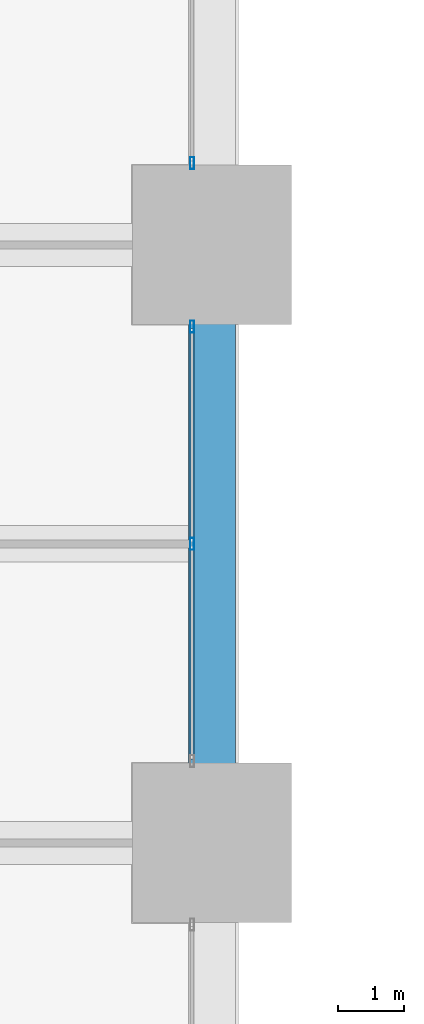
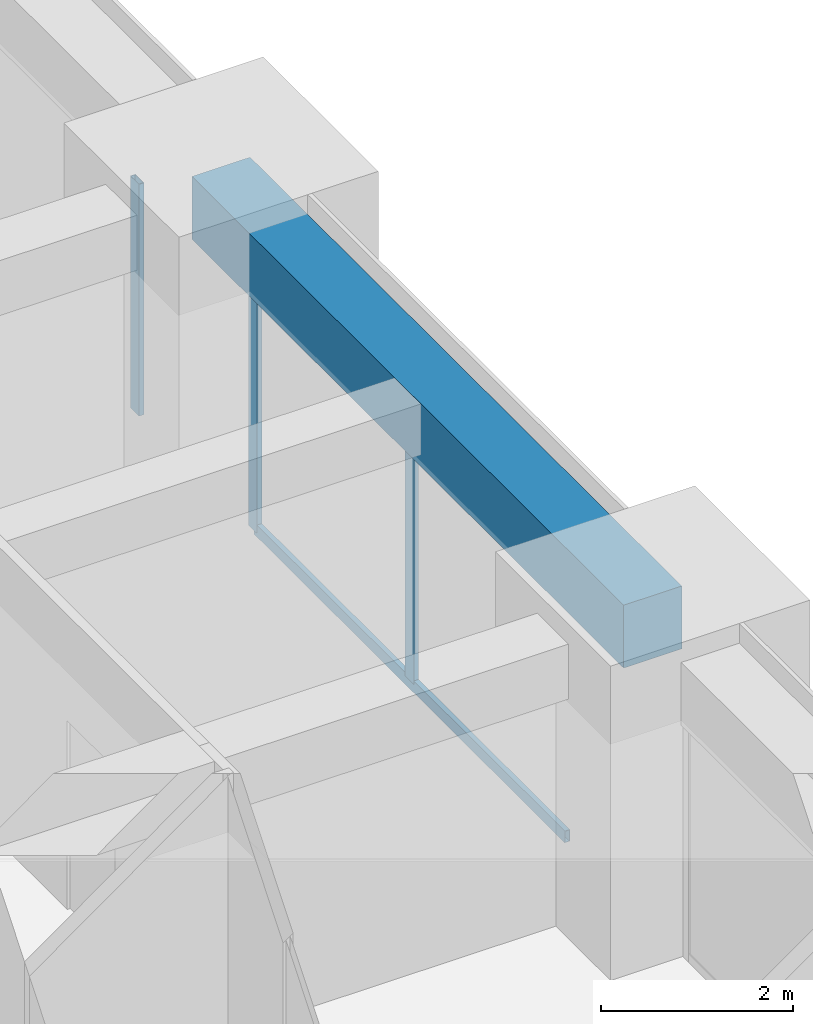
# One storey, part 28 of 39: 4 members, 1 beam, 2 elements without a shape of their own.
"""IFC4 building model written with IfcOpenShell, lengths in metres."""

from ifc_helpers import new_model, si_unit, direction, frame, origin, origin_2d, place, context, subcontext, project, spatial, rectangle, hollow_rectangle, extrude, material, material_profile, profile_set, type_object, element, aggregate, save


model = new_model("IFC4")

# Units and contexts
model_context = context("Model", 3, precision=1e-05, world=origin(), true_north=direction((0.0, 1.0)))
body_context = subcontext(model_context, "Body", "Model", "MODEL_VIEW")
ifc_project = project(units=[si_unit("LENGTHUNIT", "METRE"), si_unit("AREAUNIT", "SQUARE_METRE"), si_unit("VOLUMEUNIT", "CUBIC_METRE"), si_unit("PLANEANGLEUNIT", "RADIAN"), si_unit("MASSUNIT", "GRAM", prefix="KILO")], contexts=[model_context])

# Site, building, storey
site_placement = place(None, origin())
site = spatial("IfcSite", under=ifc_project, at=site_placement, CompositionType="ELEMENT")
building_placement = place(site_placement, origin())
building = spatial("IfcBuilding", under=site, at=building_placement, Name="Zorevar Civic Tower", CompositionType="ELEMENT")
storey_placement = place(building_placement, frame((0.0, 0.0, 19.800048828125)))
storey = spatial("IfcBuildingStorey", under=building, at=storey_placement, Name="L04", CompositionType="ELEMENT", Elevation=19.800048828125)

# Curtain wall, members
ifc_material_1 = material(Name="Dark grey solar-control glass in black aluminium frame", Category="aluminium")
curtain_wall_type = type_object("IfcCurtainWallType", Name="Curtain wall CW2 low zone", PredefinedType="NOTDEFINED", material=ifc_material_1)
curtain_wall_1_placement = place(storey_placement, origin())
curtain_wall_1 = element("IfcCurtainWall", 1, at=curtain_wall_1_placement, inside=storey, type_object=curtain_wall_type, Name="CW2 L04", PredefinedType="NOTDEFINED")
ifc_material_2 = material(Name="Aluminium, black anodised", Category="aluminium")
ifc_material_profile_1 = material_profile(ifc_material_2, hollow_rectangle(XDim=0.06005859375, YDim=0.179931640625, WallThickness=0.00390625, at=origin_2d()), Name="AL 180x60x4")
ifc_profile_set_1 = profile_set([ifc_material_profile_1], Name="Aluminium, black anodised")
member_type_1 = type_object("IfcMemberType", Name="CW2 mullion AL 180x60x4", PredefinedType="MULLION", material=ifc_profile_set_1)
member_1_placement = place(storey_placement, frame((62.699951171875, 22.5, 0.06005859375), z_axis=(0.0, 0.0, 1.0), x_axis=(-1.0, 0.0, 0.0)))
member_1 = element("IfcMember", 2, at=member_1_placement, type_object=member_type_1, Name="CW2 mullion 2", PredefinedType="MULLION", context=body_context, shape_type="SweptSolid", body=[
    extrude(hollow_rectangle(XDim=0.06005859375, YDim=0.179931640625, WallThickness=0.00390625, at=origin_2d()), origin(), (0.0, 0.0, 1.0), 2.889892578125),
])
member_2_placement = place(storey_placement, frame((62.699951171875, 25.77001953125, 0.0), z_axis=(0.0, 0.0, 1.0), x_axis=(-1.0, 0.0, 0.0)))
member_2 = element("IfcMember", 3, at=member_2_placement, type_object=member_type_1, Name="CW2 mullion 3", PredefinedType="MULLION", context=body_context, shape_type="SweptSolid", body=[
    extrude(hollow_rectangle(XDim=0.06005859375, YDim=0.179931640625, WallThickness=0.00390625, at=origin_2d()), origin(), (0.0, 0.0, 1.0), 2.949951171875),
])

# Curtain wall, member
curtain_wall_2_placement = place(storey_placement, origin())
curtain_wall_2 = element("IfcCurtainWall", 4, at=curtain_wall_2_placement, inside=storey, type_object=curtain_wall_type, Name="CW2 L04", PredefinedType="NOTDEFINED")
member_3_placement = place(storey_placement, frame((62.699951171875, 28.22998046875, 0.0), z_axis=(0.0, 0.0, 1.0), x_axis=(-1.0, 0.0, 0.0)))
member_3 = element("IfcMember", 5, at=member_3_placement, type_object=member_type_1, Name="CW2 mullion 1", PredefinedType="MULLION", context=body_context, shape_type="SweptSolid", body=[
    extrude(hollow_rectangle(XDim=0.06005859375, YDim=0.179931640625, WallThickness=0.00390625, at=origin_2d()), origin(), (0.0, 0.0, 1.0), 2.949951171875),
])
aggregate(curtain_wall_2, [member_3])

# Member
ifc_material_3 = material(Name="Aluminium, black anodised", Category="aluminium")
ifc_material_profile_2 = material_profile(ifc_material_3, hollow_rectangle(XDim=0.06005859375, YDim=0.14990234375, WallThickness=0.00390625, at=origin_2d()), Name="AL 150x60x4")
ifc_profile_set_2 = profile_set([ifc_material_profile_2], Name="Aluminium, black anodised")
member_type_2 = type_object("IfcMemberType", Name="CW2 transom AL 150x60x4", PredefinedType="USERDEFINED", material=ifc_profile_set_2)
member_4_placement = place(storey_placement, frame((62.699951171875, 19.260009765625, 0.030029296875), z_axis=(0.0, 1.0, 0.0), x_axis=(-1.0, 0.0, 0.0)))
member_4 = element("IfcMember", 6, at=member_4_placement, type_object=member_type_2, Name="CW2 sill transom", ObjectType="TRANSOM", PredefinedType="USERDEFINED", context=body_context, shape_type="SweptSolid", body=[
    extrude(hollow_rectangle(XDim=0.06005859375, YDim=0.14990234375, WallThickness=0.00390625, at=origin_2d()), origin(), (0.0, 0.0, 1.0), 6.47998046875),
])

aggregate(curtain_wall_1, [member_1, member_2, member_4])

# Beam
ifc_material_4 = material(Name="Concrete C50/60", Category="concrete")
ifc_material_profile_3 = material_profile(ifc_material_4, rectangle(XDim=0.699951171875, YDim=0.800048828125, at=origin_2d()), Name="RC 700x800")
ifc_profile_set_3 = profile_set([ifc_material_profile_3], Name="Concrete C50/60")
beam_type = type_object("IfcBeamType", Name="Edge beam RC 700x800", PredefinedType="SPANDREL", material=ifc_profile_set_3)
beam_placement = place(storey_placement, frame((63.0, 18.0, 3.349853515625), z_axis=(0.0, 1.0, 0.0), x_axis=(-1.0, 0.0, 0.0)))
element("IfcBeam", 7, at=beam_placement, inside=storey, type_object=beam_type, Name="Edge beam L05", PredefinedType="SPANDREL", context=body_context, shape_type="SweptSolid", body=[
    extrude(rectangle(XDim=0.699951171875, YDim=0.800048828125, at=origin_2d()), origin(), (0.0, 0.0, 1.0), 9.0),
])

save(model, "model.ifc")
